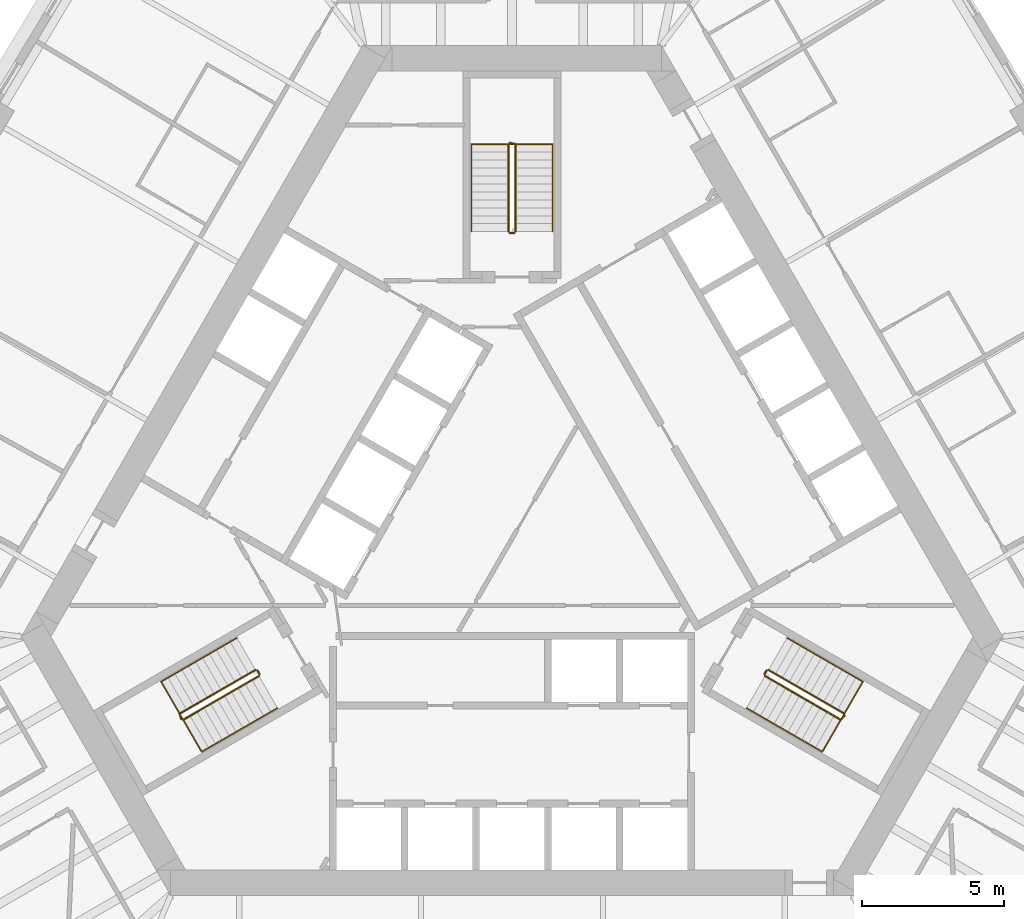
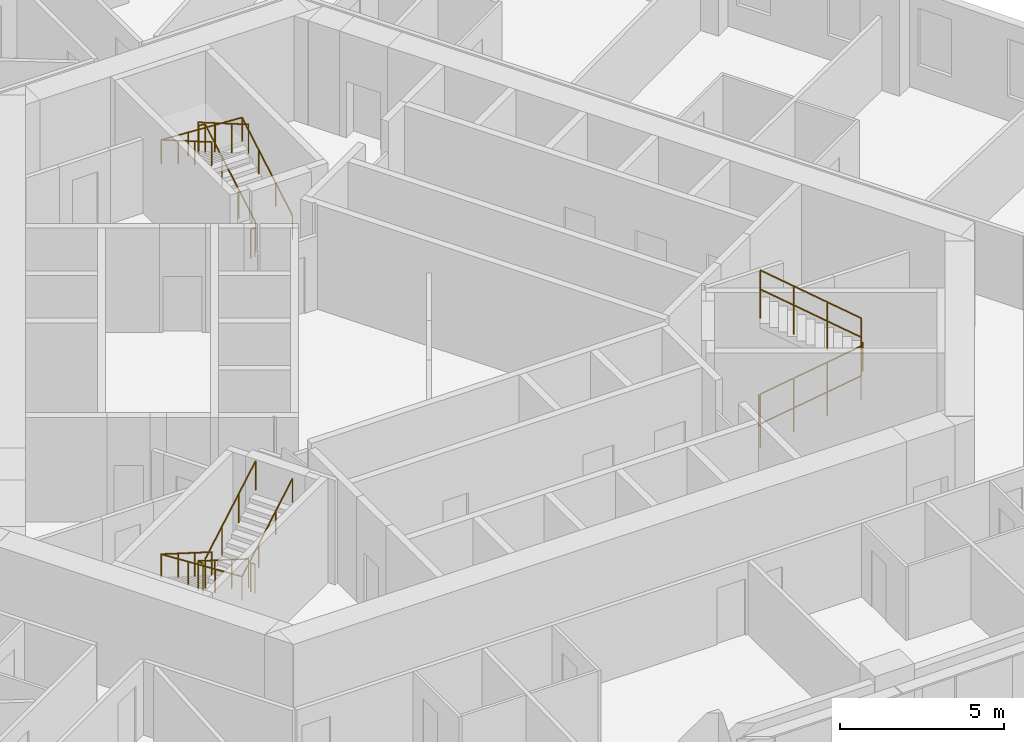
# One storey, part 13 of 13: 12 railings.
"""IFC4 building model written with IfcOpenShell, lengths in metres."""

import ifcopenshell
import ifcopenshell.guid

model = None  # the IFC model being written
_history = None  # IfcOwnerHistory: only IFC2X3 demands one
_inside = {}  # id of a spatial element -> (the spatial element, [elements in it])
_under = {}  # id of a project, library or spatial element -> (it, [spatial elements below it])
_declared = {}  # id of a project -> (the project, [libraries it declares])
_typed = {}  # id of a type object -> (the type object, [elements of that type])
_made_of = {}  # id of a material, layer set ... -> (it, [elements and type objects made of it])


def new_model(schema):
    """Start an empty IFC model of exactly this schema.

    Asked for "IFC4X3", IfcOpenShell would pick the latest addendum, in which some entities
    have other attributes; the version numbers below select the first issue.
    IFC2X3 requires an IfcOwnerHistory on every rooted entity: one is made here for all.
    """
    global model, _history
    if schema == "IFC4X3":
        model = ifcopenshell.file(schema_version=(4, 3, 0, 0))
    else:
        model = ifcopenshell.file(schema=schema)
    _inside.clear()
    _under.clear()
    _declared.clear()
    _typed.clear()
    _made_of.clear()
    _history = None
    if model.schema == "IFC2X3":
        org = make("IfcOrganization", Name="unknown")
        user = make(
            "IfcPersonAndOrganization",
            ThePerson=make("IfcPerson", FamilyName="unknown"),
            TheOrganization=org,
        )
        app = make(
            "IfcApplication",
            ApplicationDeveloper=org,
            Version="unknown",
            ApplicationFullName="unknown",
            ApplicationIdentifier="unknown",
        )
        _history = make(
            "IfcOwnerHistory",
            OwningUser=user,
            OwningApplication=app,
            ChangeAction="ADDED",
            CreationDate=0,
        )
    return model


def make(cls, **values):
    """One entity of the class cls with the attributes given. An attribute that is None is left unset."""
    return model.create_entity(
        cls, **{name: value for name, value in values.items() if value is not None}
    )


def rooted(cls, **values):
    """An entity with a GlobalId (a new one), such as an element, a storey or a relation."""
    return make(cls, GlobalId=ifcopenshell.guid.new(), OwnerHistory=_history, **values)


def si_unit(unit_type, name, prefix=None):
    """IfcSIUnit, for example si_unit("LENGTHUNIT", "METRE", prefix="MILLI")."""
    return make("IfcSIUnit", UnitType=unit_type, Prefix=prefix, Name=name)


def assignment(units):
    """IfcUnitAssignment: the units of a project."""
    return None if units is None else make("IfcUnitAssignment", Units=units)


def point(xyz):
    """IfcCartesianPoint."""
    return None if xyz is None else make("IfcCartesianPoint", Coordinates=xyz)


def direction(xyz):
    """IfcDirection."""
    return None if xyz is None else make("IfcDirection", DirectionRatios=xyz)


def frame(location, z_axis=None, x_axis=None):
    """IfcAxis2Placement3D, a coordinate frame: its origin and axes. An axis left out is left unset."""
    return make(
        "IfcAxis2Placement3D",
        Location=point(location),
        Axis=direction(z_axis),
        RefDirection=direction(x_axis),
    )


def frame_2d(location, x_axis=None):
    """IfcAxis2Placement2D, a coordinate frame in the plane: its origin and x axis."""
    return make(
        "IfcAxis2Placement2D", Location=point(location), RefDirection=direction(x_axis)
    )


def origin():
    """The frame at (0, 0, 0) with its axes left unset."""
    return frame((0.0, 0.0, 0.0))


def origin_2d():
    """The frame at (0, 0) in the plane with its x axis left unset."""
    return frame_2d((0.0, 0.0))


def place(relative_to, where):
    """IfcLocalPlacement: puts the frame where relative to a parent placement (None: the world)."""
    return make(
        "IfcLocalPlacement", PlacementRelTo=relative_to, RelativePlacement=where
    )


def context(
    kind, dimensions, precision=None, world=None, true_north=None, identifier=None
):
    """IfcGeometricRepresentationContext, for example the 3D "Model" context."""
    return make(
        "IfcGeometricRepresentationContext",
        ContextIdentifier=identifier,
        ContextType=kind,
        CoordinateSpaceDimension=dimensions,
        Precision=precision,
        WorldCoordinateSystem=world,
        TrueNorth=true_north,
    )


def subcontext(parent, identifier, kind, view, scale=None):
    """IfcGeometricRepresentationSubContext, for example "Body" below "Model"."""
    return make(
        "IfcGeometricRepresentationSubContext",
        ContextIdentifier=identifier,
        ContextType=kind,
        ParentContext=parent,
        TargetScale=scale,
        TargetView=view,
    )


def project(units=None, contexts=None):
    """IfcProject with its units and contexts."""
    return rooted(
        "IfcProject",
        Name="project",
        RepresentationContexts=contexts,
        UnitsInContext=assignment(units),
    )


def spatial(cls, under=None, at=None, **own):
    """A site, building, storey or space (cls), placed at a placement, below another one or the project."""
    s = rooted(cls, ObjectPlacement=at, **own)
    if under is not None:
        _under.setdefault(under.id(), (under, []))[1].append(s)
    return s


def profile(cls, at=None, kind="AREA", **sizes):
    """A parametric profile (cls). Its sizes go by their IFC names, for example OverallWidth=200.0."""
    return make(cls, ProfileType=kind, Position=at, **sizes)


def circle(**sizes):
    """IfcCircleProfileDef."""
    return profile("IfcCircleProfileDef", **sizes)


def extrude(swept, where, along, depth):
    """IfcExtrudedAreaSolid: the profile swept, set in the frame where, extruded along a direction by depth."""
    return make(
        "IfcExtrudedAreaSolid",
        SweptArea=swept,
        Position=where,
        ExtrudedDirection=direction(along),
        Depth=depth,
    )


def shape(context_of_items, identifier, shape_type, items):
    """IfcShapeRepresentation: the items that make up one representation, for example the "Body"."""
    return make(
        "IfcShapeRepresentation",
        ContextOfItems=context_of_items,
        RepresentationIdentifier=identifier,
        RepresentationType=shape_type,
        Items=items,
    )


def material(Name=None, Category=None):
    """IfcMaterial."""
    return make("IfcMaterial", Name=Name, Category=Category)


def made_of(thing, what):
    """Note that an element or type object is made of a material, layer set ...; save() writes the relation."""
    if what is not None:
        _made_of.setdefault(what.id(), (what, []))[1].append(thing)
    return thing


def type_object(cls, material=None, **own):
    """A type object (cls), such as IfcWallType, which elements share."""
    return made_of(rooted(cls, **own), material)


def element(
    cls,
    number,
    at=None,
    inside=None,
    cuts=None,
    type_object=None,
    material=None,
    context=None,
    identifier="Body",
    shape_type=None,
    held_by="IfcProductDefinitionShape",
    body=None,
    shapes=None,
    **own,
):
    """One element of the class cls, such as IfcWall. Its Tag is "e" and its number.

    at: its placement. inside: the storey or other place that contains it. cuts: it is an
    opening in that element (IfcRelVoidsElement). A single representation is given by context,
    identifier, shape_type and body (its items); several are given by shapes. held_by: the class
    of the entity that holds the representations. save() writes the other relations.
    """
    e = rooted(cls, Tag="e%d" % number, ObjectPlacement=at, **own)
    if body is not None:
        shapes = [shape(context, identifier, shape_type, body)]
    if shapes is not None:
        e.Representation = make(held_by, Representations=shapes)
    if inside is not None:
        _inside.setdefault(inside.id(), (inside, []))[1].append(e)
    if cuts is not None:
        rooted(
            "IfcRelVoidsElement", RelatingBuildingElement=cuts, RelatedOpeningElement=e
        )
    if type_object is not None:
        _typed.setdefault(type_object.id(), (type_object, []))[1].append(e)
    return made_of(e, material)


def aggregate(whole, parts):
    """IfcRelAggregates: a whole, such as a stair, and the parts it consists of."""
    return rooted("IfcRelAggregates", RelatingObject=whole, RelatedObjects=parts)


def save(model, path):
    """Write the relations noted so far, then the file.

    IfcRelAggregates (storeys below a building ...), IfcRelContainedInSpatialStructure (elements
    in a storey), IfcRelDefinesByType, IfcRelAssociatesMaterial and IfcRelDeclares: one each for
    every whole, place, type object, material and project.
    """
    for whole, parts in _under.values():
        aggregate(whole, parts)
    for where, things in _inside.values():
        rooted(
            "IfcRelContainedInSpatialStructure",
            RelatedElements=things,
            RelatingStructure=where,
        )
    for kind, things in _typed.values():
        rooted("IfcRelDefinesByType", RelatedObjects=things, RelatingType=kind)
    for what, things in _made_of.values():
        rooted("IfcRelAssociatesMaterial", RelatedObjects=things, RelatingMaterial=what)
    for by, libraries in _declared.values():
        rooted("IfcRelDeclares", RelatingContext=by, RelatedDefinitions=libraries)
    model.write(path)


model = new_model("IFC4")

# Units and contexts
model_context = context("Model", 3, precision=1e-05, world=origin(), true_north=direction((0.0, 1.0)))
body_context = subcontext(model_context, "Body", "Model", "MODEL_VIEW")
ifc_project = project(units=[si_unit("LENGTHUNIT", "METRE"), si_unit("AREAUNIT", "SQUARE_METRE"), si_unit("VOLUMEUNIT", "CUBIC_METRE"), si_unit("PLANEANGLEUNIT", "RADIAN"), si_unit("MASSUNIT", "GRAM", prefix="KILO")], contexts=[model_context])

# Site, building, storey
site_placement = place(None, origin())
site = spatial("IfcSite", under=ifc_project, at=site_placement, CompositionType="ELEMENT")
building_placement = place(site_placement, origin())
building = spatial("IfcBuilding", under=site, at=building_placement, Name="Mestral Congress Tower", CompositionType="ELEMENT")
storey_placement = place(building_placement, frame((0.0, 0.0, 62.699951171875)))
storey = spatial("IfcBuildingStorey", under=building, at=storey_placement, Name="L14", CompositionType="ELEMENT", Elevation=62.699951171875)

# Railings
ifc_material_1 = material(Name="Steel balustrade", Category="steel")
railing_type_1 = type_object("IfcRailingType", Name="Stair guard 1100", PredefinedType="GUARDRAIL", material=ifc_material_1)
railing_1_placement = place(storey_placement, frame((8.90087890625, -5.283203125, 0.16259765625)))
element("IfcRailing", 1, at=railing_1_placement, inside=storey, type_object=railing_type_1, Name="L14 ST1 stair guard 1", PredefinedType="GUARDRAIL", context=body_context, shape_type="SweptSolid", body=[
    extrude(circle(Radius=0.02392578125, at=origin_2d()), frame((0.0, 0.0, 1.076171875), z_axis=(0.749019742845, -0.432477486304, 0.501928927906), x_axis=(0.500026652407, 0.866010015463, 0.0)), (0.0, 0.0, 1.0), 3.56103515625),
    extrude(circle(Radius=0.02392578125, at=origin_2d()), frame((2.667236328125, -1.5400390625, 2.86328125), z_axis=(0.695164929852, 0.718850276695, 0.0), x_axis=(-0.718850276695, 0.695164929852, 0.0)), (0.0, 0.0, 1.0), 0.2060546875),
    extrude(circle(Radius=0.02099609375, at=origin_2d()), origin(), (0.0, 0.0, 1.0), 1.052001953125),
    extrude(circle(Radius=0.02099609375, at=origin_2d()), frame((0.88916015625, -0.513427734375, 0.595703125)), (0.0, 0.0, 1.0), 1.052001953125),
    extrude(circle(Radius=0.02099609375, at=origin_2d()), frame((1.778076171875, -1.026611328125, 1.191650390625)), (0.0, 0.0, 1.0), 1.052001953125),
    extrude(circle(Radius=0.02099609375, at=origin_2d()), frame((2.667236328125, -1.5400390625, 1.787353515625)), (0.0, 0.0, 1.0), 1.052001953125),
    extrude(circle(Radius=0.02099609375, at=origin_2d()), frame((2.810546875, -1.391845703125, 1.787353515625)), (0.0, 0.0, 1.0), 1.052001953125),
])
railing_2_placement = place(storey_placement, frame((11.693115234375, -6.606689453125, 2.112548828125)))
element("IfcRailing", 2, at=railing_2_placement, inside=storey, type_object=railing_type_1, Name="L14 ST1 stair guard 2", PredefinedType="GUARDRAIL", context=body_context, shape_type="SweptSolid", body=[
    extrude(circle(Radius=0.02392578125, at=origin_2d()), frame((0.0, 0.0, 1.076171875), z_axis=(-0.748993966903, 0.432462603499, 0.501980212875), x_axis=(-0.500026652407, -0.866010015463, 0.0)), (0.0, 0.0, 1.0), 3.56103515625),
    extrude(circle(Radius=0.02099609375, at=origin_2d()), origin(), (0.0, 0.0, 1.0), 1.052001953125),
    extrude(circle(Radius=0.02099609375, at=origin_2d()), frame((-0.88916015625, 0.513427734375, 0.595947265625)), (0.0, 0.0, 1.0), 1.052001953125),
    extrude(circle(Radius=0.02099609375, at=origin_2d()), frame((-1.778076171875, 1.026611328125, 1.191650390625)), (0.0, 0.0, 1.0), 1.052001953125),
    extrude(circle(Radius=0.02099609375, at=origin_2d()), frame((-2.667236328125, 1.5400390625, 1.78759765625)), (0.0, 0.0, 1.0), 1.052001953125),
])
railing_3_placement = place(storey_placement, frame((8.882568359375, -5.21484375, 0.0)))
element("IfcRailing", 3, at=railing_3_placement, inside=storey, type_object=railing_type_1, Name="L14 ST1 stair guard 3", PredefinedType="GUARDRAIL", context=body_context, shape_type="SweptSolid", body=[
    extrude(circle(Radius=0.02392578125, at=origin_2d()), frame((0.0, 0.0, 1.076171875), z_axis=(0.499816412211, 0.866131372301, 0.0), x_axis=(-0.866131372301, 0.499816412211, 0.0)), (0.0, 0.0, 1.0), 0.14990234375),
    extrude(circle(Radius=0.02099609375, at=origin_2d()), origin(), (0.0, 0.0, 1.0), 1.052001953125),
    extrude(circle(Radius=0.02099609375, at=origin_2d()), frame((0.074951171875, 0.1298828125, 0.0)), (0.0, 0.0, 1.0), 1.052001953125),
])
railing_4_placement = place(storey_placement, frame((0.125, 10.35009765625, 0.16259765625)))
element("IfcRailing", 4, at=railing_4_placement, inside=storey, type_object=railing_type_1, Name="L14 ST2 stair guard 1", PredefinedType="GUARDRAIL", context=body_context, shape_type="SweptSolid", body=[
    extrude(circle(Radius=0.02392578125, at=origin_2d()), frame((0.0, 0.0, 1.076171875), z_axis=(0.0, 0.864903211148, 0.501938676878), x_axis=(-1.0, 0.0, 0.0)), (0.0, 0.0, 1.0), 3.560791015625),
    extrude(circle(Radius=0.02392578125, at=origin_2d()), frame((0.0, 3.079833984375, 2.86328125), z_axis=(-0.970072785993, 0.242814311512, 0.0), x_axis=(-0.242814311512, -0.970072785993, 0.0)), (0.0, 0.0, 1.0), 0.2060546875),
    extrude(circle(Radius=0.02099609375, at=origin_2d()), origin(), (0.0, 0.0, 1.0), 1.052001953125),
    extrude(circle(Radius=0.02099609375, at=origin_2d()), frame((0.0, 1.026611328125, 0.595703125)), (0.0, 0.0, 1.0), 1.052001953125),
    extrude(circle(Radius=0.02099609375, at=origin_2d()), frame((0.0, 2.05322265625, 1.191650390625)), (0.0, 0.0, 1.0), 1.052001953125),
    extrude(circle(Radius=0.02099609375, at=origin_2d()), frame((0.0, 3.079833984375, 1.787353515625)), (0.0, 0.0, 1.0), 1.052001953125),
    extrude(circle(Radius=0.02099609375, at=origin_2d()), frame((-0.199951171875, 3.1298828125, 1.787353515625)), (0.0, 0.0, 1.0), 1.052001953125),
])
railing_5_placement = place(storey_placement, frame((-0.125, 13.429931640625, 2.112548828125)))
element("IfcRailing", 5, at=railing_5_placement, inside=storey, type_object=railing_type_1, Name="L14 ST2 stair guard 2", PredefinedType="GUARDRAIL", context=body_context, shape_type="SweptSolid", body=[
    extrude(circle(Radius=0.02392578125, at=origin_2d()), frame((0.0, 0.0, 1.076171875), z_axis=(0.0, -0.864873446163, 0.501989962173), x_axis=(1.0, 0.0, 0.0)), (0.0, 0.0, 1.0), 3.56103515625),
    extrude(circle(Radius=0.02099609375, at=origin_2d()), origin(), (0.0, 0.0, 1.0), 1.052001953125),
    extrude(circle(Radius=0.02099609375, at=origin_2d()), frame((0.0, -1.026611328125, 0.595947265625)), (0.0, 0.0, 1.0), 1.052001953125),
    extrude(circle(Radius=0.02099609375, at=origin_2d()), frame((0.0, -2.05322265625, 1.191650390625)), (0.0, 0.0, 1.0), 1.052001953125),
    extrude(circle(Radius=0.02099609375, at=origin_2d()), frame((0.0, -3.079833984375, 1.78759765625)), (0.0, 0.0, 1.0), 1.052001953125),
])
railing_6_placement = place(storey_placement, frame((0.074951171875, 10.300048828125, 0.0)))
element("IfcRailing", 6, at=railing_6_placement, inside=storey, type_object=railing_type_1, Name="L14 ST2 stair guard 3", PredefinedType="GUARDRAIL", context=body_context, shape_type="SweptSolid", body=[
    extrude(circle(Radius=0.02392578125, at=origin_2d()), frame((0.0, 0.0, 1.076171875), z_axis=(-1.0, 0.0, 0.0), x_axis=(0.0, -1.0, 0.0)), (0.0, 0.0, 1.0), 0.14990234375),
    extrude(circle(Radius=0.02099609375, at=origin_2d()), origin(), (0.0, 0.0, 1.0), 1.052001953125),
    extrude(circle(Radius=0.02099609375, at=origin_2d()), frame((-0.14990234375, 0.0, 0.0)), (0.0, 0.0, 1.0), 1.052001953125),
])
railing_7_placement = place(storey_placement, frame((-9.02587890625, -5.066650390625, 0.16259765625)))
element("IfcRailing", 7, at=railing_7_placement, inside=storey, type_object=railing_type_1, Name="L14 ST3 stair guard 1", PredefinedType="GUARDRAIL", context=body_context, shape_type="SweptSolid", body=[
    extrude(circle(Radius=0.02392578125, at=origin_2d()), frame((0.0, 0.0, 1.076171875), z_axis=(-0.749019742845, -0.432477486304, 0.501928927906), x_axis=(0.500026652407, -0.866010015463, 0.0)), (0.0, 0.0, 1.0), 3.56103515625),
    extrude(circle(Radius=0.02392578125, at=origin_2d()), frame((-2.667236328125, -1.5400390625, 2.86328125), z_axis=(0.274721127897, -0.961523947641, 0.0), x_axis=(0.961523947641, 0.274721127897, 0.0)), (0.0, 0.0, 1.0), 0.2060546875),
    extrude(circle(Radius=0.02099609375, at=origin_2d()), origin(), (0.0, 0.0, 1.0), 1.052001953125),
    extrude(circle(Radius=0.02099609375, at=origin_2d()), frame((-0.88916015625, -0.513427734375, 0.595703125)), (0.0, 0.0, 1.0), 1.052001953125),
    extrude(circle(Radius=0.02099609375, at=origin_2d()), frame((-1.778076171875, -1.026611328125, 1.191650390625)), (0.0, 0.0, 1.0), 1.052001953125),
    extrude(circle(Radius=0.02099609375, at=origin_2d()), frame((-2.667236328125, -1.5400390625, 1.787353515625)), (0.0, 0.0, 1.0), 1.052001953125),
    extrude(circle(Radius=0.02099609375, at=origin_2d()), frame((-2.610595703125, -1.73828125, 1.787353515625)), (0.0, 0.0, 1.0), 1.052001953125),
])
railing_8_placement = place(storey_placement, frame((-11.568115234375, -6.8232421875, 2.112548828125)))
element("IfcRailing", 8, at=railing_8_placement, inside=storey, type_object=railing_type_1, Name="L14 ST3 stair guard 2", PredefinedType="GUARDRAIL", context=body_context, shape_type="SweptSolid", body=[
    extrude(circle(Radius=0.02392578125, at=origin_2d()), frame((0.0, 0.0, 1.076171875), z_axis=(0.748993966903, 0.432462603499, 0.501980212875), x_axis=(-0.500026652407, 0.866010015463, 0.0)), (0.0, 0.0, 1.0), 3.56103515625),
    extrude(circle(Radius=0.02099609375, at=origin_2d()), origin(), (0.0, 0.0, 1.0), 1.052001953125),
    extrude(circle(Radius=0.02099609375, at=origin_2d()), frame((0.88916015625, 0.513427734375, 0.595947265625)), (0.0, 0.0, 1.0), 1.052001953125),
    extrude(circle(Radius=0.02099609375, at=origin_2d()), frame((1.778076171875, 1.026611328125, 1.191650390625)), (0.0, 0.0, 1.0), 1.052001953125),
    extrude(circle(Radius=0.02099609375, at=origin_2d()), frame((2.667236328125, 1.5400390625, 1.78759765625)), (0.0, 0.0, 1.0), 1.052001953125),
])
railing_9_placement = place(storey_placement, frame((-8.95751953125, -5.0849609375, 0.0)))
element("IfcRailing", 9, at=railing_9_placement, inside=storey, type_object=railing_type_1, Name="L14 ST3 stair guard 3", PredefinedType="GUARDRAIL", context=body_context, shape_type="SweptSolid", body=[
    extrude(circle(Radius=0.02392578125, at=origin_2d()), frame((0.0, 0.0, 1.076171875), z_axis=(0.499816412211, -0.866131372301, 0.0), x_axis=(0.866131372301, 0.499816412211, 0.0)), (0.0, 0.0, 1.0), 0.14990234375),
    extrude(circle(Radius=0.02099609375, at=origin_2d()), origin(), (0.0, 0.0, 1.0), 1.052001953125),
    extrude(circle(Radius=0.02099609375, at=origin_2d()), frame((0.074951171875, -0.1298828125, 0.0)), (0.0, 0.0, 1.0), 1.052001953125),
])
ifc_material_2 = material(Name="Steel handrail", Category="steel")
railing_type_2 = type_object("IfcRailingType", Name="Stair handrail 900", PredefinedType="HANDRAIL", material=ifc_material_2)
railing_10_placement = place(storey_placement, frame((8.2509765625, -6.4091796875, 0.16259765625)))
element("IfcRailing", 10, at=railing_10_placement, inside=storey, type_object=railing_type_2, Name="L14 ST1 stair handrail 1", PredefinedType="HANDRAIL", context=body_context, shape_type="SweptSolid", body=[
    extrude(circle(Radius=0.02392578125, at=origin_2d()), frame((0.0, 0.0, 0.8759765625), z_axis=(0.749041951051, -0.432421746936, 0.501943809945), x_axis=(0.499967199496, 0.866044340336, 0.0)), (0.0, 0.0, 1.0), 3.560791015625),
    extrude(circle(Radius=0.02392578125, at=origin_2d()), frame((2.667236328125, -1.539794921875, 2.6630859375), z_axis=(0.499224505807, 0.864598343191, 0.056961370716), x_axis=(-0.866004402611, 0.500036373335, 0.0)), (0.0, 0.0, 1.0), 2.8544921875),
    extrude(circle(Radius=0.02392578125, at=origin_2d()), frame((4.09228515625, 0.92822265625, 2.82568359375), z_axis=(-0.74902406201, 0.432440397507, 0.501954437309), x_axis=(-0.499992328818, -0.866029832698, 0.0)), (0.0, 0.0, 1.0), 3.561279296875),
    extrude(circle(Radius=0.02099609375, at=origin_2d()), origin(), (0.0, 0.0, 1.0), 0.851806640625),
    extrude(circle(Radius=0.02099609375, at=origin_2d()), frame((0.88916015625, -0.51318359375, 0.595703125)), (0.0, 0.0, 1.0), 0.851806640625),
    extrude(circle(Radius=0.02099609375, at=origin_2d()), frame((1.778076171875, -1.026611328125, 1.191650390625)), (0.0, 0.0, 1.0), 0.851806640625),
    extrude(circle(Radius=0.02099609375, at=origin_2d()), frame((2.667236328125, -1.539794921875, 1.787353515625)), (0.0, 0.0, 1.0), 0.851806640625),
    extrude(circle(Radius=0.02099609375, at=origin_2d()), frame((3.142333984375, -0.717041015625, 1.841552734375)), (0.0, 0.0, 1.0), 0.851806640625),
    extrude(circle(Radius=0.02099609375, at=origin_2d()), frame((3.6171875, 0.10546875, 1.895751953125)), (0.0, 0.0, 1.0), 0.851806640625),
    extrude(circle(Radius=0.02099609375, at=origin_2d()), frame((4.09228515625, 0.92822265625, 1.949951171875)), (0.0, 0.0, 1.0), 0.851806640625),
    extrude(circle(Radius=0.02099609375, at=origin_2d()), frame((3.203125, 1.441650390625, 2.5458984375)), (0.0, 0.0, 1.0), 0.851806640625),
    extrude(circle(Radius=0.02099609375, at=origin_2d()), frame((2.31396484375, 1.954833984375, 3.1416015625)), (0.0, 0.0, 1.0), 0.851806640625),
    extrude(circle(Radius=0.02099609375, at=origin_2d()), frame((1.4248046875, 2.46826171875, 3.737548828125)), (0.0, 0.0, 1.0), 0.851806640625),
])
railing_11_placement = place(storey_placement, frame((1.425048828125, 10.35009765625, 0.16259765625)))
element("IfcRailing", 11, at=railing_11_placement, inside=storey, type_object=railing_type_2, Name="L14 ST2 stair handrail 1", PredefinedType="HANDRAIL", context=body_context, shape_type="SweptSolid", body=[
    extrude(circle(Radius=0.02392578125, at=origin_2d()), frame((0.0, 0.0, 0.8759765625), z_axis=(0.0, 0.864903211148, 0.501938676878), x_axis=(-1.0, 0.0, 0.0)), (0.0, 0.0, 1.0), 3.560791015625),
    extrude(circle(Radius=0.02392578125, at=origin_2d()), frame((0.0, 3.079833984375, 2.6630859375), z_axis=(-0.998376618682, 0.0, 0.056957240709), x_axis=(0.0, -1.0, 0.0)), (0.0, 0.0, 1.0), 2.854736328125),
    extrude(circle(Radius=0.02392578125, at=origin_2d()), frame((-2.85009765625, 3.079833984375, 2.82568359375), z_axis=(0.0, -0.864873446163, 0.501989962173), x_axis=(1.0, 0.0, 0.0)), (0.0, 0.0, 1.0), 3.56103515625),
    extrude(circle(Radius=0.02099609375, at=origin_2d()), origin(), (0.0, 0.0, 1.0), 0.851806640625),
    extrude(circle(Radius=0.02099609375, at=origin_2d()), frame((0.0, 1.026611328125, 0.595703125)), (0.0, 0.0, 1.0), 0.851806640625),
    extrude(circle(Radius=0.02099609375, at=origin_2d()), frame((0.0, 2.05322265625, 1.191650390625)), (0.0, 0.0, 1.0), 0.851806640625),
    extrude(circle(Radius=0.02099609375, at=origin_2d()), frame((0.0, 3.079833984375, 1.787353515625)), (0.0, 0.0, 1.0), 0.851806640625),
    extrude(circle(Radius=0.02099609375, at=origin_2d()), frame((-0.949951171875, 3.079833984375, 1.841552734375)), (0.0, 0.0, 1.0), 0.851806640625),
    extrude(circle(Radius=0.02099609375, at=origin_2d()), frame((-1.900146484375, 3.079833984375, 1.895751953125)), (0.0, 0.0, 1.0), 0.851806640625),
    extrude(circle(Radius=0.02099609375, at=origin_2d()), frame((-2.85009765625, 3.079833984375, 1.949951171875)), (0.0, 0.0, 1.0), 0.851806640625),
    extrude(circle(Radius=0.02099609375, at=origin_2d()), frame((-2.85009765625, 2.05322265625, 2.5458984375)), (0.0, 0.0, 1.0), 0.851806640625),
    extrude(circle(Radius=0.02099609375, at=origin_2d()), frame((-2.85009765625, 1.026611328125, 3.1416015625)), (0.0, 0.0, 1.0), 0.851806640625),
    extrude(circle(Radius=0.02099609375, at=origin_2d()), frame((-2.85009765625, 0.0, 3.737548828125)), (0.0, 0.0, 1.0), 0.851806640625),
])
railing_12_placement = place(storey_placement, frame((-9.67578125, -3.94091796875, 0.16259765625)))
element("IfcRailing", 12, at=railing_12_placement, inside=storey, type_object=railing_type_2, Name="L14 ST3 stair handrail 1", PredefinedType="HANDRAIL", context=body_context, shape_type="SweptSolid", body=[
    extrude(circle(Radius=0.02392578125, at=origin_2d()), frame((0.0, 0.0, 0.8759765625), z_axis=(-0.749049836341, -0.432455278019, 0.501903153199), x_axis=(0.499992328818, -0.866029832698, 0.0)), (0.0, 0.0, 1.0), 3.56103515625),
    extrude(circle(Radius=0.02392578125, at=origin_2d()), frame((-2.66748046875, -1.5400390625, 2.6630859375), z_axis=(0.499224505807, -0.864598343191, 0.056961370716), x_axis=(0.866004402611, 0.500036373335, 0.0)), (0.0, 0.0, 1.0), 2.8544921875),
    extrude(circle(Radius=0.02392578125, at=origin_2d()), frame((-1.242431640625, -4.008056640625, 2.82568359375), z_axis=(0.749016172816, 0.432406865167, 0.50199509541), x_axis=(-0.499967199496, 0.866044340336, 0.0)), (0.0, 0.0, 1.0), 3.56103515625),
    extrude(circle(Radius=0.02099609375, at=origin_2d()), origin(), (0.0, 0.0, 1.0), 0.851806640625),
    extrude(circle(Radius=0.02099609375, at=origin_2d()), frame((-0.88916015625, -0.513427734375, 0.595703125)), (0.0, 0.0, 1.0), 0.851806640625),
    extrude(circle(Radius=0.02099609375, at=origin_2d()), frame((-1.7783203125, -1.026611328125, 1.191650390625)), (0.0, 0.0, 1.0), 0.851806640625),
    extrude(circle(Radius=0.02099609375, at=origin_2d()), frame((-2.66748046875, -1.5400390625, 1.787353515625)), (0.0, 0.0, 1.0), 0.851806640625),
    extrude(circle(Radius=0.02099609375, at=origin_2d()), frame((-2.1923828125, -2.36279296875, 1.841552734375)), (0.0, 0.0, 1.0), 0.851806640625),
    extrude(circle(Radius=0.02099609375, at=origin_2d()), frame((-1.717529296875, -3.185302734375, 1.895751953125)), (0.0, 0.0, 1.0), 0.851806640625),
    extrude(circle(Radius=0.02099609375, at=origin_2d()), frame((-1.242431640625, -4.008056640625, 1.949951171875)), (0.0, 0.0, 1.0), 0.851806640625),
    extrude(circle(Radius=0.02099609375, at=origin_2d()), frame((-0.353271484375, -3.494873046875, 2.5458984375)), (0.0, 0.0, 1.0), 0.851806640625),
    extrude(circle(Radius=0.02099609375, at=origin_2d()), frame((0.53564453125, -2.9814453125, 3.1416015625)), (0.0, 0.0, 1.0), 0.851806640625),
    extrude(circle(Radius=0.02099609375, at=origin_2d()), frame((1.4248046875, -2.46826171875, 3.737548828125)), (0.0, 0.0, 1.0), 0.851806640625),
])

save(model, "model.ifc")
